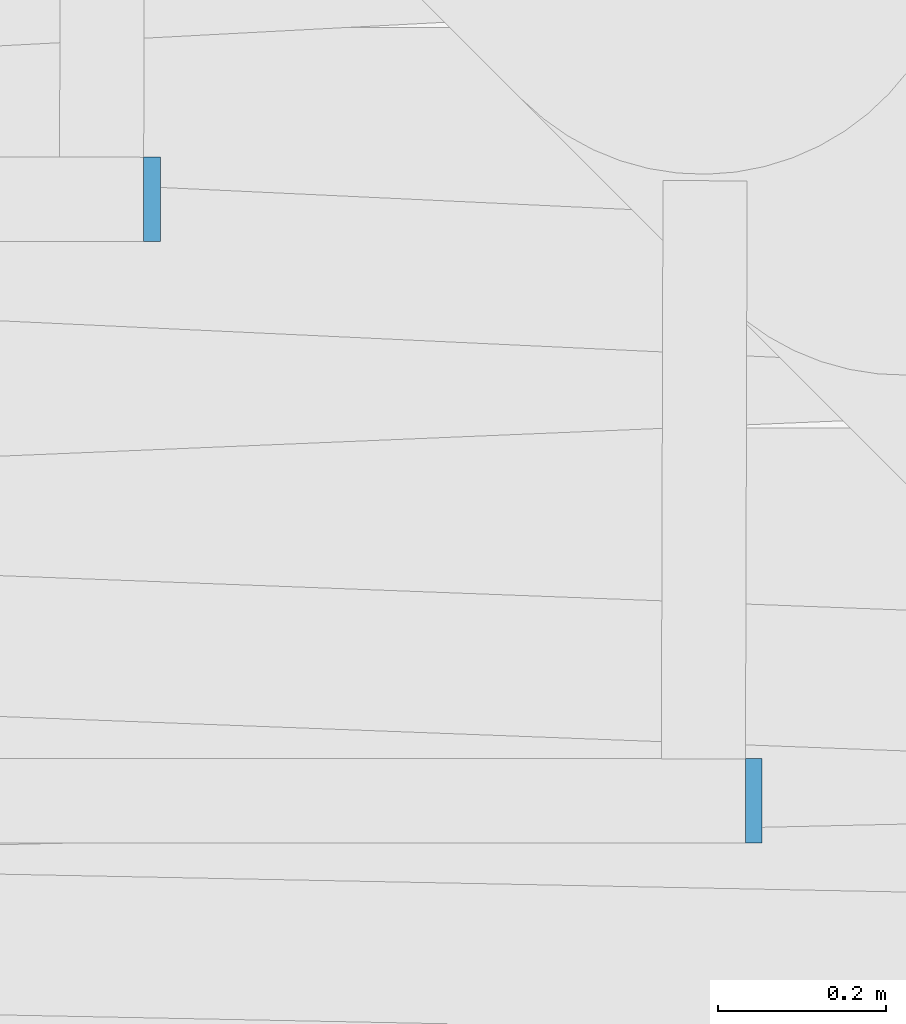
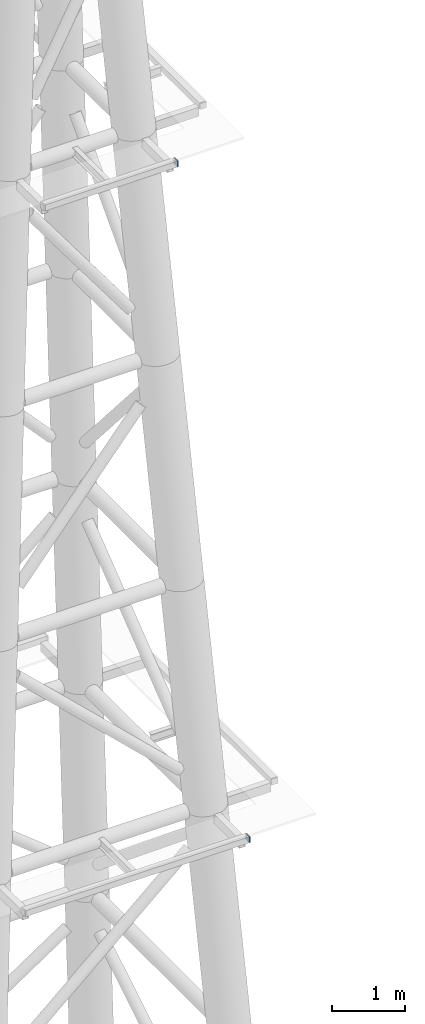
# One storey, part 27 of 36: 2 discrete accessories.
"""IFC4 building model written with IfcOpenShell, lengths in metres."""

from ifc_helpers import new_model, si_unit, direction, frame, origin, origin_2d, place, context, subcontext, project, spatial, rectangle, extrude, material, material_profile, profile_set, type_object, element, save


model = new_model("IFC4")

# Units and contexts
model_context = context("Model", 3, precision=1e-05, world=origin(), true_north=direction((0.0, 1.0)))
body_context = subcontext(model_context, "Body", "Model", "MODEL_VIEW")
ifc_project = project(units=[si_unit("LENGTHUNIT", "METRE"), si_unit("AREAUNIT", "SQUARE_METRE"), si_unit("VOLUMEUNIT", "CUBIC_METRE"), si_unit("PLANEANGLEUNIT", "RADIAN"), si_unit("MASSUNIT", "GRAM", prefix="KILO")], contexts=[model_context])

# Site, building, storey
site_placement = place(None, origin())
site = spatial("IfcSite", under=ifc_project, at=site_placement, CompositionType="ELEMENT")
building_placement = place(site_placement, origin())
building = spatial("IfcBuilding", under=site, at=building_placement, Name="Ipe Terrace Towers", CompositionType="ELEMENT")
storey_placement = place(building_placement, frame((0.0, 0.0, 264.89990234375)))
storey = spatial("IfcBuildingStorey", under=building, at=storey_placement, Name="Roof", CompositionType="ELEMENT", Elevation=264.89990234375)

# Discrete accessories
ifc_material = material(Name="Steel S355", Category="steel")
ifc_material_profile = material_profile(ifc_material, rectangle(XDim=0.10009765625, YDim=0.10009765625, at=origin_2d()), Name="MAST END PLATE 100 x 100 x 20")
ifc_profile_set = profile_set([ifc_material_profile], Name="Steel S355")
discrete_accessory_type = type_object("IfcDiscreteAccessoryType", Name="MAST END PLATE 100 x 100 x 20", PredefinedType="BRACKET", material=ifc_profile_set)
for number, where, z_axis, x_axis, name in (
    (1, (37.7548828125, -2.7548828125, 21.31005859375), (1.0, 0.0, 0.0), (0.0, 1.0, 0.0), "mast end plate"),
    (2, (37.0390625, -2.0390625, 32.3720703125), (1.0, 0.0, 0.0), (0.0, 1.0, 0.0), "mast end plate"),
):
    element("IfcDiscreteAccessory", number, at=place(storey_placement, frame(where, z_axis=z_axis, x_axis=x_axis)), inside=storey, type_object=discrete_accessory_type, Name=name, PredefinedType="BRACKET", context=body_context, shape_type="SweptSolid", body=[
        extrude(rectangle(XDim=0.10009765625, YDim=0.10009765625, at=origin_2d()), origin(), (0.0, 0.0, 1.0), 0.02001953125),
    ])

save(model, "model.ifc")
